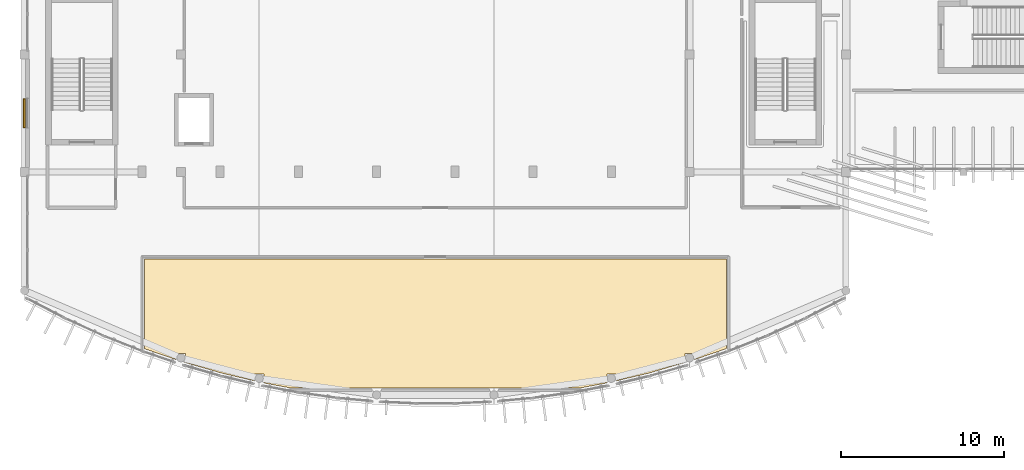
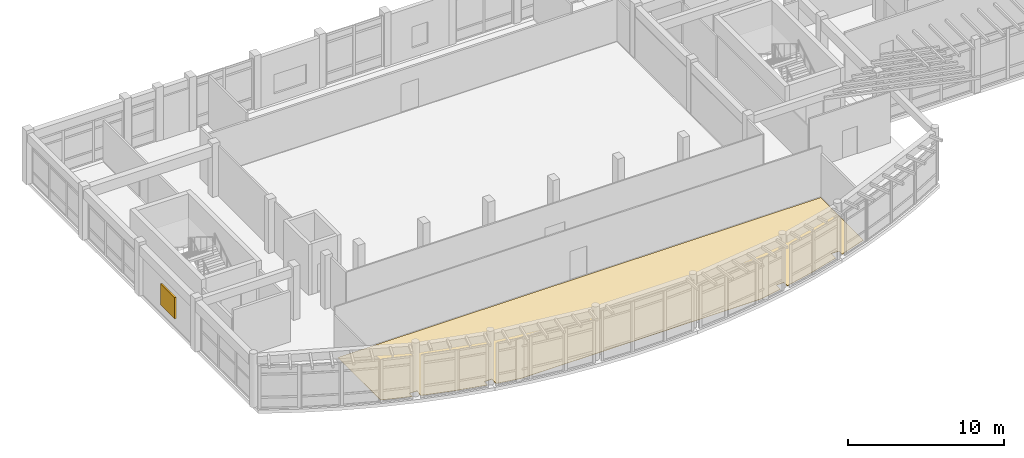
# One storey, part 49 of 60: 1 covering, 1 shading device.
"""IFC4 building model written with IfcOpenShell, lengths in metres."""

from ifc_helpers import new_model, si_unit, direction, frame, origin, origin_2d, place, context, subcontext, project, spatial, polyline, rectangle, outline, extrude, material, layer, layer_set, type_object, element, save


model = new_model("IFC4")

# Units and contexts
model_context = context("Model", 3, precision=1e-05, world=origin(), true_north=direction((0.0, 1.0)))
body_context = subcontext(model_context, "Body", "Model", "MODEL_VIEW")
ifc_project = project(units=[si_unit("LENGTHUNIT", "METRE"), si_unit("AREAUNIT", "SQUARE_METRE"), si_unit("VOLUMEUNIT", "CUBIC_METRE"), si_unit("PLANEANGLEUNIT", "RADIAN"), si_unit("MASSUNIT", "GRAM", prefix="KILO")], contexts=[model_context])

# Site, building, storey
site_placement = place(None, origin())
site = spatial("IfcSite", under=ifc_project, at=site_placement, CompositionType="ELEMENT")
building_placement = place(site_placement, origin())
building = spatial("IfcBuilding", under=site, at=building_placement, Name="Brisavento Harbour Community Centre", CompositionType="ELEMENT")
storey_placement = place(building_placement, frame((0.0, 0.0, 4.5)))
storey = spatial("IfcBuildingStorey", under=building, at=storey_placement, Name="L01", CompositionType="ELEMENT", Elevation=4.5)

# Covering
ifc_material_1 = material(Name="Polished marine terrazzo tile", Category="other")
ifc_layer_1 = layer(ifc_material_1, 0.02001953125, Name="Polished marine terrazzo tile")
ifc_layer_set_1 = layer_set([ifc_layer_1], Name="Polished marine terrazzo tile")
covering_type = type_object("IfcCoveringType", Name="COV-FLR-TRZ", PredefinedType="FLOORING", material=ifc_layer_set_1)
covering_placement = place(storey_placement, origin())
element("IfcCovering", 1, at=covering_placement, inside=storey, type_object=covering_type, Name="L01 Assembly Pre-Function Foyer terrazzo flooring", PredefinedType="FLOORING", context=body_context, shape_type="SweptSolid", body=[
    extrude(outline(polyline([(40.52001953125, 2.715087890625), (40.52001953125, 3.275146484375), (41.080078125, 3.275146484375), (41.080078125, 2.882568359375), (43.050048828125, 3.55859375), (43.050048828125, 9.050048828125), (7.35009765625, 9.050048828125), (7.35009765625, 3.55859375), (9.320068359375, 2.882568359375), (9.320068359375, 3.275146484375), (9.8798828125, 3.275146484375), (9.82568359375, 2.715087890625), (12.093994140625, 2.061279296875), (14.1201171875, 1.58056640625), (14.1201171875, 2.013916015625), (14.679931640625, 2.013916015625), (14.679931640625, 1.457763671875), (16.318115234375, 1.14990234375), (34.08203125, 1.14990234375), (35.719970703125, 1.457763671875), (35.719970703125, 2.013916015625), (36.280029296875, 2.013916015625), (36.280029296875, 1.58056640625), (38.305908203125, 2.061279296875), (40.52001953125, 2.715087890625)])), origin(), (0.0, 0.0, 1.0), 0.02001953125),
])

# Shading device
ifc_material_2 = material(Name="Marine-anodised aluminium AW-6063-T6", Category="aluminium")
ifc_layer_2 = layer(ifc_material_2, 0.1201171875, Name="Marine-anodised aluminium AW-6063-T6")
ifc_layer_set_2 = layer_set([ifc_layer_2], Name="Marine-anodised aluminium AW-6063-T6")
shading_device_type = type_object("IfcShadingDeviceType", Name="SHD-LOUVRE", PredefinedType="JALOUSIE", material=ifc_layer_set_2)
shading_device_placement = place(storey_placement, frame((-0.0048828125, 18.0, 0.75), z_axis=(0.0, 0.0, 1.0), x_axis=(0.0, 1.0, 0.0)))
element("IfcShadingDevice", 2, at=shading_device_placement, inside=storey, type_object=shading_device_type, Name="L01 hurricane storm louvre 12", PredefinedType="JALOUSIE", context=body_context, shape_type="SweptSolid", body=[
    extrude(rectangle(XDim=1.800048828125, YDim=0.1201171875, at=origin_2d()), origin(), (0.0, 0.0, 1.0), 1.64990234375),
])

save(model, "model.ifc")
